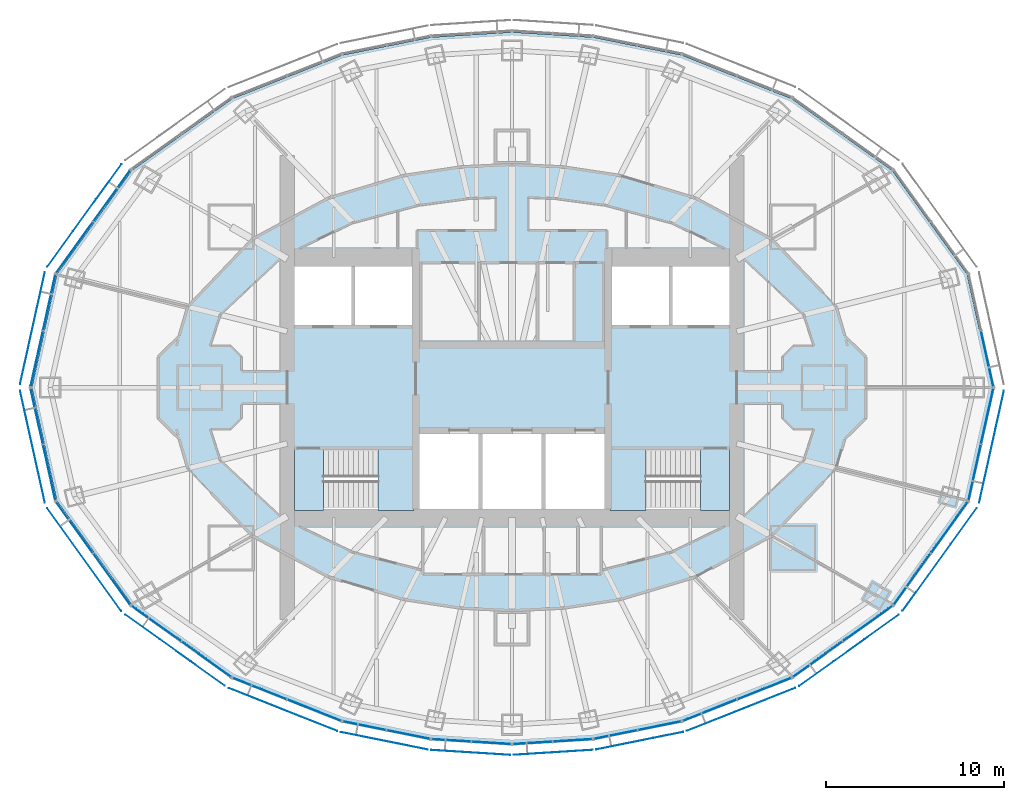
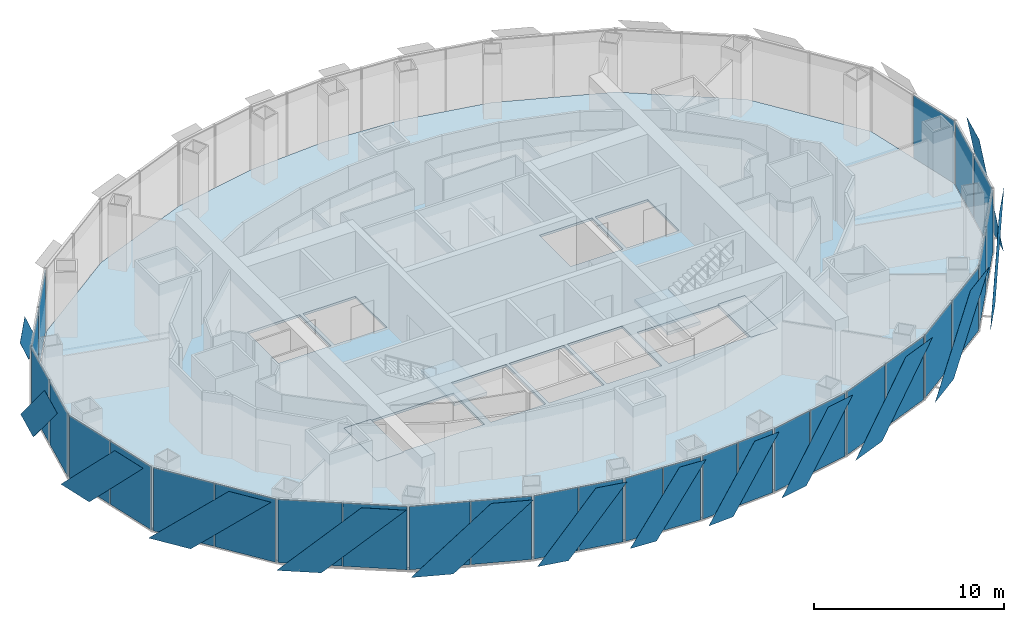
# One storey, part 10 of 17: 43 plates, 5 slabs, 17 elements without a shape of their own.
"""IFC4 building model written with IfcOpenShell, lengths in metres."""

from ifc_helpers import new_model, si_unit, direction, frame, origin, origin_2d, place, context, subcontext, project, spatial, polyline, rectangle, outline, extrude, material, layer, layer_set, type_object, element, aggregate, save


model = new_model("IFC4")

# Units and contexts
model_context = context("Model", 3, precision=1e-05, world=origin(), true_north=direction((0.0, 1.0)))
body_context = subcontext(model_context, "Body", "Model", "MODEL_VIEW")
ifc_project = project(units=[si_unit("LENGTHUNIT", "METRE"), si_unit("AREAUNIT", "SQUARE_METRE"), si_unit("VOLUMEUNIT", "CUBIC_METRE"), si_unit("PLANEANGLEUNIT", "RADIAN"), si_unit("MASSUNIT", "GRAM", prefix="KILO")], contexts=[model_context])

# Site, building, storey
site_placement = place(None, origin())
site = spatial("IfcSite", under=ifc_project, at=site_placement, CompositionType="ELEMENT")
building_placement = place(site_placement, origin())
building = spatial("IfcBuilding", under=site, at=building_placement, Name="Lantaw Convention Tower", CompositionType="ELEMENT")
storey_placement = place(building_placement, frame((0.0, 0.0, 211.60009765625)))
storey = spatial("IfcBuildingStorey", under=building, at=storey_placement, Name="L49", CompositionType="ELEMENT", Elevation=211.60009765625)

# Curtain wall, plate
ifc_material_1 = material(Name="Aluminium framed curtain wall", Category="aluminium")
curtain_wall_type = type_object("IfcCurtainWallType", Name="Office curtain wall high rise, pale aluminium", PredefinedType="USERDEFINED", material=ifc_material_1)
curtain_wall_1_placement = place(storey_placement, origin())
curtain_wall_1 = element("IfcCurtainWall", 1, at=curtain_wall_1_placement, inside=storey, type_object=curtain_wall_type, Name="Office curtain wall high rise, pale aluminium L49", ObjectType="UNITISED CURTAIN WALL", PredefinedType="USERDEFINED")
ifc_material_2 = material(Name="Clear insulating glass", Category="glass")
ifc_layer_1 = layer(ifc_material_2, 0.028076171875)
ifc_layer_set_1 = layer_set([ifc_layer_1], Name="CW-O2 panel 28")
plate_type_1 = type_object("IfcPlateType", Name="CW-O2 panel 28", PredefinedType="CURTAIN_PANEL", material=ifc_layer_set_1)
plate_1_placement = place(storey_placement, frame((26.643798828125, 1.61083984375, -0.0849609375), z_axis=(0.0, 0.0, 1.0), x_axis=(-0.215891333626, 0.976417396437, 0.0)))
plate_1 = element("IfcPlate", 2, at=plate_1_placement, type_object=plate_type_1, Name="CW-O2 panel 1.1", PredefinedType="CURTAIN_PANEL", context=body_context, shape_type="SweptSolid", body=[
    extrude(rectangle(XDim=3.169677734375, YDim=0.028076171875, at=origin_2d()), origin(), (0.0, 0.0, 1.0), 4.070068359375),
])
aggregate(curtain_wall_1, [plate_1])

# Curtain wall, plates
curtain_wall_2_placement = place(storey_placement, origin())
curtain_wall_2 = element("IfcCurtainWall", 3, at=curtain_wall_2_placement, inside=storey, type_object=curtain_wall_type, Name="Office curtain wall high rise, pale aluminium L49", ObjectType="UNITISED CURTAIN WALL", PredefinedType="USERDEFINED")
plate_2_placement = place(storey_placement, frame((-22.4404296875, 10.743896484375, -0.0849609375), z_axis=(0.0, 0.0, 1.0), x_axis=(-0.585157643865, -0.810919559405, 0.0)))
plate_2 = element("IfcPlate", 4, at=plate_2_placement, type_object=plate_type_1, Name="CW-O2 panel 1.1", PredefinedType="CURTAIN_PANEL", context=body_context, shape_type="SweptSolid", body=[
    extrude(rectangle(XDim=3.500732421875, YDim=0.028076171875, at=origin_2d()), origin(), (0.0, 0.0, 1.0), 4.070068359375),
])
plate_3_placement = place(storey_placement, frame((-24.527099609375, 7.852294921875, -0.0849609375), z_axis=(0.0, 0.0, 1.0), x_axis=(-0.585157643865, -0.810919559405, 0.0)))
plate_3 = element("IfcPlate", 5, at=plate_3_placement, type_object=plate_type_1, Name="CW-O2 panel 2.1", PredefinedType="CURTAIN_PANEL", context=body_context, shape_type="SweptSolid", body=[
    extrude(rectangle(XDim=3.500732421875, YDim=0.028076171875, at=origin_2d()), origin(), (0.0, 0.0, 1.0), 4.070068359375),
])
aggregate(curtain_wall_2, [plate_2, plate_3])

curtain_wall_3_placement = place(storey_placement, origin())
curtain_wall_3 = element("IfcCurtainWall", 6, at=curtain_wall_3_placement, inside=storey, type_object=curtain_wall_type, Name="Office curtain wall high rise, pale aluminium L49", ObjectType="UNITISED CURTAIN WALL", PredefinedType="USERDEFINED")
plate_4_placement = place(storey_placement, frame((-25.945556640625, 4.769287109375, -0.0849609375), z_axis=(0.0, 0.0, 1.0), x_axis=(-0.215891333626, -0.976417396437, 0.0)))
plate_4 = element("IfcPlate", 7, at=plate_4_placement, type_object=plate_type_1, Name="CW-O2 panel 1.1", PredefinedType="CURTAIN_PANEL", context=body_context, shape_type="SweptSolid", body=[
    extrude(rectangle(XDim=3.169677734375, YDim=0.028076171875, at=origin_2d()), origin(), (0.0, 0.0, 1.0), 4.070068359375),
])
plate_5_placement = place(storey_placement, frame((-26.643798828125, 1.61083984375, -0.0849609375), z_axis=(0.0, 0.0, 1.0), x_axis=(-0.215891333626, -0.976417396437, 0.0)))
plate_5 = element("IfcPlate", 8, at=plate_5_placement, type_object=plate_type_1, Name="CW-O2 panel 2.1", PredefinedType="CURTAIN_PANEL", context=body_context, shape_type="SweptSolid", body=[
    extrude(rectangle(XDim=3.169677734375, YDim=0.028076171875, at=origin_2d()), origin(), (0.0, 0.0, 1.0), 4.070068359375),
])
aggregate(curtain_wall_3, [plate_4, plate_5])

curtain_wall_4_placement = place(storey_placement, origin())
curtain_wall_4 = element("IfcCurtainWall", 9, at=curtain_wall_4_placement, inside=storey, type_object=curtain_wall_type, Name="Office curtain wall high rise, pale aluminium L49", ObjectType="UNITISED CURTAIN WALL", PredefinedType="USERDEFINED")
plate_6_placement = place(storey_placement, frame((-26.643798828125, -1.61083984375, -0.0849609375), z_axis=(0.0, 0.0, 1.0), x_axis=(0.215891333626, -0.976417396437, 0.0)))
plate_6 = element("IfcPlate", 10, at=plate_6_placement, type_object=plate_type_1, Name="CW-O2 panel 1.1", PredefinedType="CURTAIN_PANEL", context=body_context, shape_type="SweptSolid", body=[
    extrude(rectangle(XDim=3.169677734375, YDim=0.028076171875, at=origin_2d()), origin(), (0.0, 0.0, 1.0), 4.070068359375),
])
plate_7_placement = place(storey_placement, frame((-25.945556640625, -4.769287109375, -0.0849609375), z_axis=(0.0, 0.0, 1.0), x_axis=(0.215891333626, -0.976417396437, 0.0)))
plate_7 = element("IfcPlate", 11, at=plate_7_placement, type_object=plate_type_1, Name="CW-O2 panel 2.1", PredefinedType="CURTAIN_PANEL", context=body_context, shape_type="SweptSolid", body=[
    extrude(rectangle(XDim=3.169677734375, YDim=0.028076171875, at=origin_2d()), origin(), (0.0, 0.0, 1.0), 4.070068359375),
])
aggregate(curtain_wall_4, [plate_6, plate_7])

curtain_wall_5_placement = place(storey_placement, origin())
curtain_wall_5 = element("IfcCurtainWall", 12, at=curtain_wall_5_placement, inside=storey, type_object=curtain_wall_type, Name="Office curtain wall high rise, pale aluminium L49", ObjectType="UNITISED CURTAIN WALL", PredefinedType="USERDEFINED")
plate_8_placement = place(storey_placement, frame((-24.527099609375, -7.852294921875, -0.0849609375), z_axis=(0.0, 0.0, 1.0), x_axis=(0.585157643865, -0.810919559405, 0.0)))
plate_8 = element("IfcPlate", 13, at=plate_8_placement, type_object=plate_type_1, Name="CW-O2 panel 1.1", PredefinedType="CURTAIN_PANEL", context=body_context, shape_type="SweptSolid", body=[
    extrude(rectangle(XDim=3.500732421875, YDim=0.028076171875, at=origin_2d()), origin(), (0.0, 0.0, 1.0), 4.070068359375),
])
plate_9_placement = place(storey_placement, frame((-22.4404296875, -10.743896484375, -0.0849609375), z_axis=(0.0, 0.0, 1.0), x_axis=(0.585157643865, -0.810919559405, 0.0)))
plate_9 = element("IfcPlate", 14, at=plate_9_placement, type_object=plate_type_1, Name="CW-O2 panel 2.1", PredefinedType="CURTAIN_PANEL", context=body_context, shape_type="SweptSolid", body=[
    extrude(rectangle(XDim=3.500732421875, YDim=0.028076171875, at=origin_2d()), origin(), (0.0, 0.0, 1.0), 4.070068359375),
])
aggregate(curtain_wall_5, [plate_8, plate_9])

curtain_wall_6_placement = place(storey_placement, origin())
curtain_wall_6 = element("IfcCurtainWall", 15, at=curtain_wall_6_placement, inside=storey, type_object=curtain_wall_type, Name="Office curtain wall high rise, pale aluminium L49", ObjectType="UNITISED CURTAIN WALL", PredefinedType="USERDEFINED")
plate_10_placement = place(storey_placement, frame((-19.947509765625, -13.23828125, -0.0849609375), z_axis=(0.0, 0.0, 1.0), x_axis=(0.813672540482, -0.581323487281, 0.0)))
plate_10 = element("IfcPlate", 16, at=plate_10_placement, type_object=plate_type_1, Name="CW-O2 panel 1.1", PredefinedType="CURTAIN_PANEL", context=body_context, shape_type="SweptSolid", body=[
    extrude(rectangle(XDim=3.386474609375, YDim=0.028076171875, at=origin_2d()), origin(), (0.0, 0.0, 1.0), 4.070068359375),
])
plate_11_placement = place(storey_placement, frame((-17.13916015625, -15.24462890625, -0.0849609375), z_axis=(0.0, 0.0, 1.0), x_axis=(0.813672540482, -0.581323487281, 0.0)))
plate_11 = element("IfcPlate", 17, at=plate_11_placement, type_object=plate_type_1, Name="CW-O2 panel 2.1", PredefinedType="CURTAIN_PANEL", context=body_context, shape_type="SweptSolid", body=[
    extrude(rectangle(XDim=3.386474609375, YDim=0.028076171875, at=origin_2d()), origin(), (0.0, 0.0, 1.0), 4.070068359375),
])
aggregate(curtain_wall_6, [plate_10, plate_11])

curtain_wall_7_placement = place(storey_placement, origin())
curtain_wall_7 = element("IfcCurtainWall", 18, at=curtain_wall_7_placement, inside=storey, type_object=curtain_wall_type, Name="Office curtain wall high rise, pale aluminium L49", ObjectType="UNITISED CURTAIN WALL", PredefinedType="USERDEFINED")
plate_12_placement = place(storey_placement, frame((-14.14990234375, -16.8837890625, -0.0849609375), z_axis=(0.0, 0.0, 1.0), x_axis=(0.929761533743, -0.368162315252, 0.0)))
plate_12 = element("IfcPlate", 19, at=plate_12_placement, type_object=plate_type_1, Name="CW-O2 panel 1.1", PredefinedType="CURTAIN_PANEL", context=body_context, shape_type="SweptSolid", body=[
    extrude(rectangle(XDim=3.222900390625, YDim=0.028076171875, at=origin_2d()), origin(), (0.0, 0.0, 1.0), 4.070068359375),
])
plate_13_placement = place(storey_placement, frame((-11.0927734375, -18.094482421875, -0.0849609375), z_axis=(0.0, 0.0, 1.0), x_axis=(0.929761533743, -0.368162315252, 0.0)))
plate_13 = element("IfcPlate", 20, at=plate_13_placement, type_object=plate_type_1, Name="CW-O2 panel 2.1", PredefinedType="CURTAIN_PANEL", context=body_context, shape_type="SweptSolid", body=[
    extrude(rectangle(XDim=3.222900390625, YDim=0.028076171875, at=origin_2d()), origin(), (0.0, 0.0, 1.0), 4.070068359375),
])
aggregate(curtain_wall_7, [plate_12, plate_13])

curtain_wall_8_placement = place(storey_placement, origin())
curtain_wall_8 = element("IfcCurtainWall", 21, at=curtain_wall_8_placement, inside=storey, type_object=curtain_wall_type, Name="Office curtain wall high rise, pale aluminium L49", ObjectType="UNITISED CURTAIN WALL", PredefinedType="USERDEFINED")
plate_14_placement = place(storey_placement, frame((-8.2724609375, -18.96533203125, -0.0849609375), z_axis=(0.0, 0.0, 1.0), x_axis=(0.980366679695, -0.197183095987, 0.0)))
plate_14 = element("IfcPlate", 22, at=plate_14_placement, type_object=plate_type_1, Name="CW-O2 panel 1.1", PredefinedType="CURTAIN_PANEL", context=body_context, shape_type="SweptSolid", body=[
    extrude(rectangle(XDim=2.44384765625, YDim=0.028076171875, at=origin_2d()), origin(), (0.0, 0.0, 1.0), 4.070068359375),
])
plate_15_placement = place(storey_placement, frame((-5.81298828125, -19.4599609375, -0.0849609375), z_axis=(0.0, 0.0, 1.0), x_axis=(0.980366679695, -0.197183095987, 0.0)))
plate_15 = element("IfcPlate", 23, at=plate_15_placement, type_object=plate_type_1, Name="CW-O2 panel 2.1", PredefinedType="CURTAIN_PANEL", context=body_context, shape_type="SweptSolid", body=[
    extrude(rectangle(XDim=2.44384765625, YDim=0.028076171875, at=origin_2d()), origin(), (0.0, 0.0, 1.0), 4.070068359375),
])
aggregate(curtain_wall_8, [plate_14, plate_15])

curtain_wall_9_placement = place(storey_placement, origin())
curtain_wall_9 = element("IfcCurtainWall", 24, at=curtain_wall_9_placement, inside=storey, type_object=curtain_wall_type, Name="Office curtain wall high rise, pale aluminium L49", ObjectType="UNITISED CURTAIN WALL", PredefinedType="USERDEFINED")
plate_16_placement = place(storey_placement, frame((-3.397216796875, -19.786376953125, -0.0849609375), z_axis=(0.0, 0.0, 1.0), x_axis=(0.998028774865, -0.062757983884, 0.0)))
plate_16 = element("IfcPlate", 25, at=plate_16_placement, type_object=plate_type_1, Name="CW-O2 panel 1.1", PredefinedType="CURTAIN_PANEL", context=body_context, shape_type="SweptSolid", body=[
    extrude(rectangle(XDim=2.1826171875, YDim=0.028076171875, at=origin_2d()), origin(), (0.0, 0.0, 1.0), 4.070068359375),
])
plate_17_placement = place(storey_placement, frame((-1.154052734375, -19.927490234375, -0.0849609375), z_axis=(0.0, 0.0, 1.0), x_axis=(0.998028774865, -0.062757983884, 0.0)))
plate_17 = element("IfcPlate", 26, at=plate_17_placement, type_object=plate_type_1, Name="CW-O2 panel 2.1", PredefinedType="CURTAIN_PANEL", context=body_context, shape_type="SweptSolid", body=[
    extrude(rectangle(XDim=2.1826171875, YDim=0.028076171875, at=origin_2d()), origin(), (0.0, 0.0, 1.0), 4.070068359375),
])
aggregate(curtain_wall_9, [plate_16, plate_17])

curtain_wall_10_placement = place(storey_placement, origin())
curtain_wall_10 = element("IfcCurtainWall", 27, at=curtain_wall_10_placement, inside=storey, type_object=curtain_wall_type, Name="Office curtain wall high rise, pale aluminium L49", ObjectType="UNITISED CURTAIN WALL", PredefinedType="USERDEFINED")
plate_18_placement = place(storey_placement, frame((1.154052734375, -19.927490234375, -0.0849609375), z_axis=(0.0, 0.0, 1.0), x_axis=(0.998028774865, 0.062757983884, 0.0)))
plate_18 = element("IfcPlate", 28, at=plate_18_placement, type_object=plate_type_1, Name="CW-O2 panel 1.1", PredefinedType="CURTAIN_PANEL", context=body_context, shape_type="SweptSolid", body=[
    extrude(rectangle(XDim=2.1826171875, YDim=0.028076171875, at=origin_2d()), origin(), (0.0, 0.0, 1.0), 4.070068359375),
])
plate_19_placement = place(storey_placement, frame((3.397216796875, -19.786376953125, -0.0849609375), z_axis=(0.0, 0.0, 1.0), x_axis=(0.998028774865, 0.062757983884, 0.0)))
plate_19 = element("IfcPlate", 29, at=plate_19_placement, type_object=plate_type_1, Name="CW-O2 panel 2.1", PredefinedType="CURTAIN_PANEL", context=body_context, shape_type="SweptSolid", body=[
    extrude(rectangle(XDim=2.1826171875, YDim=0.028076171875, at=origin_2d()), origin(), (0.0, 0.0, 1.0), 4.070068359375),
])
aggregate(curtain_wall_10, [plate_18, plate_19])

curtain_wall_11_placement = place(storey_placement, origin())
curtain_wall_11 = element("IfcCurtainWall", 30, at=curtain_wall_11_placement, inside=storey, type_object=curtain_wall_type, Name="Office curtain wall high rise, pale aluminium L49", ObjectType="UNITISED CURTAIN WALL", PredefinedType="USERDEFINED")
plate_20_placement = place(storey_placement, frame((5.81298828125, -19.4599609375, -0.0849609375), z_axis=(0.0, 0.0, 1.0), x_axis=(0.980366679695, 0.197183095987, 0.0)))
plate_20 = element("IfcPlate", 31, at=plate_20_placement, type_object=plate_type_1, Name="CW-O2 panel 1.1", PredefinedType="CURTAIN_PANEL", context=body_context, shape_type="SweptSolid", body=[
    extrude(rectangle(XDim=2.44384765625, YDim=0.028076171875, at=origin_2d()), origin(), (0.0, 0.0, 1.0), 4.070068359375),
])
plate_21_placement = place(storey_placement, frame((8.2724609375, -18.96533203125, -0.0849609375), z_axis=(0.0, 0.0, 1.0), x_axis=(0.980366679695, 0.197183095987, 0.0)))
plate_21 = element("IfcPlate", 32, at=plate_21_placement, type_object=plate_type_1, Name="CW-O2 panel 2.1", PredefinedType="CURTAIN_PANEL", context=body_context, shape_type="SweptSolid", body=[
    extrude(rectangle(XDim=2.44384765625, YDim=0.028076171875, at=origin_2d()), origin(), (0.0, 0.0, 1.0), 4.070068359375),
])
aggregate(curtain_wall_11, [plate_20, plate_21])

curtain_wall_12_placement = place(storey_placement, origin())
curtain_wall_12 = element("IfcCurtainWall", 33, at=curtain_wall_12_placement, inside=storey, type_object=curtain_wall_type, Name="Office curtain wall high rise, pale aluminium L49", ObjectType="UNITISED CURTAIN WALL", PredefinedType="USERDEFINED")
plate_22_placement = place(storey_placement, frame((11.0927734375, -18.094482421875, -0.0849609375), z_axis=(0.0, 0.0, 1.0), x_axis=(0.929761533743, 0.368162315252, 0.0)))
plate_22 = element("IfcPlate", 34, at=plate_22_placement, type_object=plate_type_1, Name="CW-O2 panel 1.1", PredefinedType="CURTAIN_PANEL", context=body_context, shape_type="SweptSolid", body=[
    extrude(rectangle(XDim=3.222900390625, YDim=0.028076171875, at=origin_2d()), origin(), (0.0, 0.0, 1.0), 4.070068359375),
])
plate_23_placement = place(storey_placement, frame((14.14990234375, -16.8837890625, -0.0849609375), z_axis=(0.0, 0.0, 1.0), x_axis=(0.929761533743, 0.368162315252, 0.0)))
plate_23 = element("IfcPlate", 35, at=plate_23_placement, type_object=plate_type_1, Name="CW-O2 panel 2.1", PredefinedType="CURTAIN_PANEL", context=body_context, shape_type="SweptSolid", body=[
    extrude(rectangle(XDim=3.222900390625, YDim=0.028076171875, at=origin_2d()), origin(), (0.0, 0.0, 1.0), 4.070068359375),
])
aggregate(curtain_wall_12, [plate_22, plate_23])

curtain_wall_13_placement = place(storey_placement, origin())
curtain_wall_13 = element("IfcCurtainWall", 36, at=curtain_wall_13_placement, inside=storey, type_object=curtain_wall_type, Name="Office curtain wall high rise, pale aluminium L49", ObjectType="UNITISED CURTAIN WALL", PredefinedType="USERDEFINED")
plate_24_placement = place(storey_placement, frame((17.13916015625, -15.24462890625, -0.0849609375), z_axis=(0.0, 0.0, 1.0), x_axis=(0.813672540482, 0.581323487281, 0.0)))
plate_24 = element("IfcPlate", 37, at=plate_24_placement, type_object=plate_type_1, Name="CW-O2 panel 1.1", PredefinedType="CURTAIN_PANEL", context=body_context, shape_type="SweptSolid", body=[
    extrude(rectangle(XDim=3.386474609375, YDim=0.028076171875, at=origin_2d()), origin(), (0.0, 0.0, 1.0), 4.070068359375),
])
plate_25_placement = place(storey_placement, frame((19.947509765625, -13.23828125, -0.0849609375), z_axis=(0.0, 0.0, 1.0), x_axis=(0.813672540482, 0.581323487281, 0.0)))
plate_25 = element("IfcPlate", 38, at=plate_25_placement, type_object=plate_type_1, Name="CW-O2 panel 2.1", PredefinedType="CURTAIN_PANEL", context=body_context, shape_type="SweptSolid", body=[
    extrude(rectangle(XDim=3.386474609375, YDim=0.028076171875, at=origin_2d()), origin(), (0.0, 0.0, 1.0), 4.070068359375),
])
aggregate(curtain_wall_13, [plate_24, plate_25])

curtain_wall_14_placement = place(storey_placement, origin())
curtain_wall_14 = element("IfcCurtainWall", 39, at=curtain_wall_14_placement, inside=storey, type_object=curtain_wall_type, Name="Office curtain wall high rise, pale aluminium L49", ObjectType="UNITISED CURTAIN WALL", PredefinedType="USERDEFINED")
plate_26_placement = place(storey_placement, frame((22.4404296875, -10.743896484375, -0.0849609375), z_axis=(0.0, 0.0, 1.0), x_axis=(0.585157643865, 0.810919559405, 0.0)))
plate_26 = element("IfcPlate", 40, at=plate_26_placement, type_object=plate_type_1, Name="CW-O2 panel 1.1", PredefinedType="CURTAIN_PANEL", context=body_context, shape_type="SweptSolid", body=[
    extrude(rectangle(XDim=3.500732421875, YDim=0.028076171875, at=origin_2d()), origin(), (0.0, 0.0, 1.0), 4.070068359375),
])
plate_27_placement = place(storey_placement, frame((24.527099609375, -7.852294921875, -0.0849609375), z_axis=(0.0, 0.0, 1.0), x_axis=(0.585157643865, 0.810919559405, 0.0)))
plate_27 = element("IfcPlate", 41, at=plate_27_placement, type_object=plate_type_1, Name="CW-O2 panel 2.1", PredefinedType="CURTAIN_PANEL", context=body_context, shape_type="SweptSolid", body=[
    extrude(rectangle(XDim=3.500732421875, YDim=0.028076171875, at=origin_2d()), origin(), (0.0, 0.0, 1.0), 4.070068359375),
])
aggregate(curtain_wall_14, [plate_26, plate_27])

curtain_wall_15_placement = place(storey_placement, origin())
curtain_wall_15 = element("IfcCurtainWall", 42, at=curtain_wall_15_placement, inside=storey, type_object=curtain_wall_type, Name="Office curtain wall high rise, pale aluminium L49", ObjectType="UNITISED CURTAIN WALL", PredefinedType="USERDEFINED")
plate_28_placement = place(storey_placement, frame((25.945556640625, -4.769287109375, -0.0849609375), z_axis=(0.0, 0.0, 1.0), x_axis=(0.215891333626, 0.976417396437, 0.0)))
plate_28 = element("IfcPlate", 43, at=plate_28_placement, type_object=plate_type_1, Name="CW-O2 panel 1.1", PredefinedType="CURTAIN_PANEL", context=body_context, shape_type="SweptSolid", body=[
    extrude(rectangle(XDim=3.169677734375, YDim=0.028076171875, at=origin_2d()), origin(), (0.0, 0.0, 1.0), 4.070068359375),
])
plate_29_placement = place(storey_placement, frame((26.643798828125, -1.61083984375, -0.0849609375), z_axis=(0.0, 0.0, 1.0), x_axis=(0.215891333626, 0.976417396437, 0.0)))
plate_29 = element("IfcPlate", 44, at=plate_29_placement, type_object=plate_type_1, Name="CW-O2 panel 2.1", PredefinedType="CURTAIN_PANEL", context=body_context, shape_type="SweptSolid", body=[
    extrude(rectangle(XDim=3.169677734375, YDim=0.028076171875, at=origin_2d()), origin(), (0.0, 0.0, 1.0), 4.070068359375),
])
aggregate(curtain_wall_15, [plate_28, plate_29])

# Slab
ifc_material_3 = material(Name="Concrete C35/45", Category="concrete")
ifc_layer_2 = layer(ifc_material_3, 0.14990234375)
ifc_layer_set_2 = layer_set([ifc_layer_2], Name="Floor slab 150")
slab_type_1 = type_object("IfcSlabType", Name="Floor slab 150", PredefinedType="FLOOR", material=ifc_layer_set_2)
slab_1_placement = place(storey_placement, frame((0.0, 0.0, -0.150146484375)))
element("IfcSlab", 45, at=slab_1_placement, inside=storey, type_object=slab_type_1, Name="L49 floor slab", PredefinedType="FLOOR", context=body_context, shape_type="SweptSolid", body=[
    extrude(outline(polyline([(25.51953125, -6.348876953125), (26.923095703125, 0.0), (25.51953125, 6.348876953125), (21.324462890625, 12.162109375), (15.67236328125, 16.2001953125), (9.5126953125, 18.639404296875), (4.54150390625, 19.63916015625), (0.0, 19.9248046875), (-4.54150390625, 19.63916015625), (-9.5126953125, 18.639404296875), (-15.67236328125, 16.2001953125), (-21.324462890625, 12.162109375), (-25.51953125, 6.348876953125), (-26.923095703125, 0.0), (-25.51953125, -6.348876953125), (-21.324462890625, -12.162109375), (-15.67236328125, -16.2001953125), (-9.5126953125, -18.639404296875), (-4.54150390625, -19.63916015625), (0.0, -19.9248046875), (4.54150390625, -19.63916015625), (9.5126953125, -18.639404296875), (15.67236328125, -16.2001953125), (21.324462890625, -12.162109375), (25.51953125, -6.348876953125)]), holes=[polyline([(-5.60009765625, -3.5), (-12.199951171875, -3.5), (-12.199951171875, -6.800048828125), (-5.60009765625, -6.800048828125), (-5.60009765625, -3.5)]), polyline([(12.199951171875, -3.5), (5.60009765625, -3.5), (5.60009765625, -6.800048828125), (12.199951171875, -6.800048828125), (12.199951171875, -3.5)]), polyline([(-1.86669921875, -2.60009765625), (-5.199951171875, -2.60009765625), (-5.199951171875, -6.800048828125), (-1.86669921875, -6.800048828125), (-1.86669921875, -2.60009765625)]), polyline([(1.666748046875, -2.60009765625), (-1.666748046875, -2.60009765625), (-1.666748046875, -6.800048828125), (1.666748046875, -6.800048828125), (1.666748046875, -2.60009765625)]), polyline([(5.199951171875, -2.60009765625), (1.86669921875, -2.60009765625), (1.86669921875, -6.800048828125), (5.199951171875, -6.800048828125), (5.199951171875, -2.60009765625)]), polyline([(-9.0, 6.800048828125), (-12.199951171875, 6.800048828125), (-12.199951171875, 3.5), (-9.0, 3.5), (-9.0, 6.800048828125)]), polyline([(-5.60009765625, 6.800048828125), (-8.800048828125, 6.800048828125), (-8.800048828125, 3.5), (-5.60009765625, 3.5), (-5.60009765625, 6.800048828125)]), polyline([(8.800048828125, 3.5), (8.800048828125, 6.800048828125), (5.60009765625, 6.800048828125), (5.60009765625, 3.5), (8.800048828125, 3.5)]), polyline([(12.199951171875, 3.5), (12.199951171875, 6.800048828125), (9.0, 6.800048828125), (9.0, 3.5), (12.199951171875, 3.5)])]), origin(), (0.0, 0.0, 1.0), 0.150146484375),
])

# Plates
ifc_material_4 = material(Name="Perforated aluminium sheet, pale silver finish", Category="aluminium")
ifc_layer_3 = layer(ifc_material_4, 0.006103515625)
ifc_layer_set_3 = layer_set([ifc_layer_3], Name="Perforated aluminium solar SCREEN panel")
plate_type_2 = type_object("IfcPlateType", Name="Perforated aluminium solar SCREEN panel", PredefinedType="SHEET", material=ifc_layer_set_3)
plate_30_placement = place(storey_placement, frame((-21.898681640625, 12.530029296875, -0.175048828125), z_axis=(-0.810892289695, 0.585195432394, 2.0459565e-05), x_axis=(-0.585195432516, -0.810892289865, 0.0)))
element("IfcPlate", 46, at=plate_30_placement, inside=storey, type_object=plate_type_2, Name="Solar SCREEN panel", PredefinedType="SHEET", context=body_context, shape_type="SweptSolid", body=[
    extrude(outline(polyline([(0.0, 0.0), (2.4468488406832853, 0.0), (7.096610466675719, 4.339843750908316), (4.649761625992434, 4.339843750908316), (0.0, 0.0)])), origin(), (0.0, 0.0, -1.0), 0.006103515625),
])
plate_31_placement = place(storey_placement, frame((-26.19189453125, 6.462158203125, -0.175048828125), z_axis=(0.976429511424, -0.215836529031, 4.4221925e-05), x_axis=(-0.215836529242, -0.976429512379, 0.0)))
element("IfcPlate", 47, at=plate_31_placement, inside=storey, type_object=plate_type_2, Name="Solar SCREEN panel", PredefinedType="SHEET", context=body_context, shape_type="SweptSolid", body=[
    extrude(outline(polyline([(0.0, 0.0), (2.2215525295212517, -3.3881317890172014e-21), (6.4341686174090675, -4.339843754243453), (4.212616087887817, -4.339843754243453), (0.0, 0.0)])), origin(), (0.0, 0.0, -1.0), 0.006103515625),
])
plate_32_placement = place(storey_placement, frame((-27.580810546875, -0.1796875, -0.175048828125), z_axis=(-0.976429511424, -0.215836529031, 4.4221925e-05), x_axis=(0.215836529242, -0.976429512379, 0.0)))
element("IfcPlate", 48, at=plate_32_placement, inside=storey, type_object=plate_type_2, Name="Solar SCREEN panel", PredefinedType="SHEET", context=body_context, shape_type="SweptSolid", body=[
    extrude(outline(polyline([(0.0, 0.0), (2.2215525295212517, 3.3881317890172014e-21), (6.4341686174090675, 4.339843754243453), (4.212616087887817, 4.339843754243453), (0.0, 0.0)])), origin(), (0.0, 0.0, -1.0), 0.006103515625),
])
plate_33_placement = place(storey_placement, frame((-26.051513671875, -6.775390625, -0.175048828125), z_axis=(0.810892289695, 0.585195432394, 2.0459565e-05), x_axis=(0.585195432516, -0.810892289865, 0.0)))
element("IfcPlate", 49, at=plate_33_placement, inside=storey, type_object=plate_type_2, Name="Solar SCREEN panel", PredefinedType="SHEET", context=body_context, shape_type="SweptSolid", body=[
    extrude(outline(polyline([(0.0, 0.0), (2.4468488406832853, 0.0), (7.096610466675719, -4.339843750908316), (4.649761625992434, -4.339843750908316), (0.0, 0.0)])), origin(), (0.0, 0.0, -1.0), 0.006103515625),
])
plate_34_placement = place(storey_placement, frame((-21.689697265625, -12.73828125, -0.175048828125), z_axis=(-0.581330799771, -0.813667316006, 1.0072981e-05), x_axis=(0.813667316047, -0.5813307998, 3.02e-10)))
element("IfcPlate", 50, at=plate_34_placement, inside=storey, type_object=plate_type_2, Name="Solar SCREEN panel", PredefinedType="SHEET", context=body_context, shape_type="SweptSolid", body=[
    extrude(outline(polyline([(0.0, 0.0), (2.36914164286685, -1.6940658945086007e-21), (6.867806096558412, 4.339843748148034), (4.498863102938643, 4.3398437495775966), (0.0, 0.0)])), origin(), (0.0, 0.0, -1.0), 0.006103515625),
])
plate_35_placement = place(storey_placement, frame((-15.88525390625, -16.8486328125, -0.175048828125), z_axis=(0.368116612072, 0.929779629081, 3.5535267e-05), x_axis=(0.929779629668, -0.368116612304, -1.786e-09)))
element("IfcPlate", 51, at=plate_35_placement, inside=storey, type_object=plate_type_2, Name="Solar SCREEN panel", PredefinedType="SHEET", context=body_context, shape_type="SweptSolid", body=[
    extrude(outline(polyline([(0.0, 0.0), (2.2578720663572183, -6.776263578034403e-21), (6.540904465438181, -4.339843764423989), (4.282942526861161, -4.33984375635743), (0.0, 0.0)])), origin(), (0.0, 0.0, -1.0), 0.006103515625),
])
plate_36_placement = place(storey_placement, frame((-9.6044921875, -19.315673828125, -0.175048828125), z_axis=(0.197162069853, 0.980370908428, 1.0904697e-05), x_axis=(0.980370908486, -0.197162069865, -7.55e-10)))
element("IfcPlate", 52, at=plate_36_placement, inside=storey, type_object=plate_type_2, Name="Solar SCREEN panel", PredefinedType="SHEET", context=body_context, shape_type="SweptSolid", body=[
    extrude(outline(polyline([(0.0, 0.0), (1.7279870169553606, 0.0), (4.982578440602753, -4.339843754020975), (3.2545432883764285, -4.339843751410917), (0.0, 0.0)])), origin(), (0.0, 0.0, -1.0), 0.006103515625),
])
plate_37_placement = place(storey_placement, frame((-4.539306640625, -20.32177734375, -0.175048828125), z_axis=(0.062672387577, 0.998034151922, 5.8589976e-05), x_axis=(0.998034153635, -0.062672387685, 0.0)))
element("IfcPlate", 53, at=plate_37_placement, inside=storey, type_object=plate_type_2, Name="Solar SCREEN panel", PredefinedType="SHEET", context=body_context, shape_type="SweptSolid", body=[
    extrude(outline(polyline([(0.0, 0.0), (1.5504111513762302, 8.470329472543003e-22), (4.460200019412434, -4.339843757448876), (2.9097888680362036, -4.339843757448876), (0.0, 0.0)])), origin(), (0.0, 0.0, -1.0), 0.006103515625),
])
plate_38_placement = place(storey_placement, frame((0.087890625, -20.6015625, -0.175048828125), z_axis=(0.062672387577, -0.998034151922, 5.8589976e-05), x_axis=(0.998034153635, 0.062672387685, 0.0)))
element("IfcPlate", 54, at=plate_38_placement, inside=storey, type_object=plate_type_2, Name="Solar SCREEN panel", PredefinedType="SHEET", context=body_context, shape_type="SweptSolid", body=[
    extrude(outline(polyline([(0.0, 0.0), (1.5504111513762302, -8.470329472543003e-22), (4.460200019412434, 4.339843757448876), (2.9097888680362036, 4.339843757448876), (0.0, 0.0)])), origin(), (0.0, 0.0, -1.0), 0.006103515625),
])
plate_39_placement = place(storey_placement, frame((4.7197265625, -20.298095703125, -0.175048828125), z_axis=(0.197162069853, -0.980370908428, 1.0904697e-05), x_axis=(0.980370908486, 0.197162069865, 7.55e-10)))
element("IfcPlate", 55, at=plate_39_placement, inside=storey, type_object=plate_type_2, Name="Solar SCREEN panel", PredefinedType="SHEET", context=body_context, shape_type="SweptSolid", body=[
    extrude(outline(polyline([(0.0, 0.0), (1.7280351522263238, 0.0), (4.982578447157737, 4.339843746495192), (3.2545914302023755, 4.339843749105177), (0.0, 0.0)])), origin(), (0.0, 0.0, -1.0), 0.006103515625),
])
plate_40_placement = place(storey_placement, frame((9.8037109375, -19.256591796875, -0.175048828125), z_axis=(0.368116612072, -0.929779629081, 3.5535267e-05), x_axis=(0.929779629668, 0.368116612304, 1.786e-09)))
element("IfcPlate", 56, at=plate_40_placement, inside=storey, type_object=plate_type_2, Name="Solar SCREEN panel", PredefinedType="SHEET", context=body_context, shape_type="SweptSolid", body=[
    extrude(outline(polyline([(0.0, 0.0), (2.257961938577019, 6.776263578034403e-21), (6.540904480942253, 4.339843741056637), (4.283032414585034, 4.339843749122875), (0.0, 0.0)])), origin(), (0.0, 0.0, -1.0), 0.006103515625),
])
plate_41_placement = place(storey_placement, frame((16.1015625, -16.730712890625, -0.175048828125), z_axis=(-0.581330799771, 0.813667316006, 1.0072981e-05), x_axis=(0.813667316047, 0.5813307998, -3.02e-10)))
element("IfcPlate", 57, at=plate_41_placement, inside=storey, type_object=plate_type_2, Name="Solar SCREEN panel", PredefinedType="SHEET", context=body_context, shape_type="SweptSolid", body=[
    extrude(outline(polyline([(0.0, 0.0), (2.3689429936197683, -1.6940658945086007e-21), (6.867806093939489, -4.339843752292481), (4.498664451072639, -4.339843750862799), (0.0, 0.0)])), origin(), (0.0, 0.0, -1.0), 0.006103515625),
])
plate_42_placement = place(storey_placement, frame((21.898681640625, -12.530029296875, -0.175048828125), z_axis=(0.810892289695, -0.585195432394, 2.0459565e-05), x_axis=(0.585195432516, 0.810892289865, 0.0)))
element("IfcPlate", 58, at=plate_42_placement, inside=storey, type_object=plate_type_2, Name="Solar SCREEN panel", PredefinedType="SHEET", context=body_context, shape_type="SweptSolid", body=[
    extrude(outline(polyline([(0.0, 0.0), (2.4468488406832853, 0.0), (7.096610466675719, 4.339843750908316), (4.649761625992434, 4.339843750908316), (0.0, 0.0)])), origin(), (0.0, 0.0, -1.0), 0.006103515625),
])
plate_43_placement = place(storey_placement, frame((26.19189453125, -6.462158203125, -0.175048828125), z_axis=(-0.976429511424, 0.215836529031, 4.4221925e-05), x_axis=(0.215836529242, 0.976429512379, 0.0)))
element("IfcPlate", 59, at=plate_43_placement, inside=storey, type_object=plate_type_2, Name="Solar SCREEN panel", PredefinedType="SHEET", context=body_context, shape_type="SweptSolid", body=[
    extrude(outline(polyline([(0.0, 0.0), (2.2215525295212517, -3.3881317890172014e-21), (6.4341686174090675, -4.339843754243453), (4.212616087887817, -4.339843754243453), (0.0, 0.0)])), origin(), (0.0, 0.0, -1.0), 0.006103515625),
])

# Stair, slabs
stair_type = type_object("IfcStairType", Name="Exit stair 1500 riser 175 in 2 flights", PredefinedType="HALF_TURN_STAIR", material=ifc_material_3)
stair_1_placement = place(storey_placement, origin())
stair_1 = element("IfcStair", 60, at=stair_1_placement, inside=storey, type_object=stair_type, Name="Exit stair S1 L49", PredefinedType="HALF_TURN_STAIR")
ifc_layer_4 = layer(ifc_material_3, 0.199951171875)
ifc_layer_set_4 = layer_set([ifc_layer_4], Name="Stair landing 200")
slab_type_2 = type_object("IfcSlabType", Name="Stair landing 200", PredefinedType="LANDING", material=ifc_layer_set_4)
slab_2_placement = place(storey_placement, frame((0.0, 0.0, -0.2001953125)))
slab_2 = element("IfcSlab", 61, at=slab_2_placement, type_object=slab_type_2, Name="S1 landing 1", PredefinedType="LANDING", context=body_context, shape_type="SweptSolid", body=[
    extrude(outline(polyline([(-12.199951171875, -6.89990234375), (-10.580078125, -6.89990234375), (-10.580078125, -3.39990234375), (-12.199951171875, -3.39990234375), (-12.199951171875, -6.89990234375)])), origin(), (0.0, 0.0, 1.0), 0.2001953125),
])
slab_3_placement = place(storey_placement, frame((0.0, 0.0, 1.89990234375)))
slab_3 = element("IfcSlab", 62, at=slab_3_placement, type_object=slab_type_2, Name="S1 landing 2", PredefinedType="LANDING", context=body_context, shape_type="SweptSolid", body=[
    extrude(outline(polyline([(-7.5, -6.89990234375), (-5.5, -6.89990234375), (-5.5, -3.39990234375), (-7.5, -3.39990234375), (-7.5, -6.89990234375)])), origin(), (0.0, 0.0, 1.0), 0.199951171875),
])
aggregate(stair_1, [slab_2, slab_3])

stair_2_placement = place(storey_placement, origin())
stair_2 = element("IfcStair", 63, at=stair_2_placement, inside=storey, type_object=stair_type, Name="Exit stair S2 L49", PredefinedType="HALF_TURN_STAIR")
slab_4_placement = place(storey_placement, frame((0.0, 0.0, -0.2001953125)))
slab_4 = element("IfcSlab", 64, at=slab_4_placement, type_object=slab_type_2, Name="S2 landing 1", PredefinedType="LANDING", context=body_context, shape_type="SweptSolid", body=[
    extrude(outline(polyline([(10.580078125, -6.89990234375), (12.199951171875, -6.89990234375), (12.199951171875, -3.39990234375), (10.580078125, -3.39990234375), (10.580078125, -6.89990234375)])), origin(), (0.0, 0.0, 1.0), 0.2001953125),
])
slab_5_placement = place(storey_placement, frame((0.0, 0.0, 1.89990234375)))
slab_5 = element("IfcSlab", 65, at=slab_5_placement, type_object=slab_type_2, Name="S2 landing 2", PredefinedType="LANDING", context=body_context, shape_type="SweptSolid", body=[
    extrude(outline(polyline([(5.5, -6.89990234375), (7.5, -6.89990234375), (7.5, -3.39990234375), (5.5, -3.39990234375), (5.5, -6.89990234375)])), origin(), (0.0, 0.0, 1.0), 0.199951171875),
])
aggregate(stair_2, [slab_4, slab_5])

save(model, "model.ifc")
